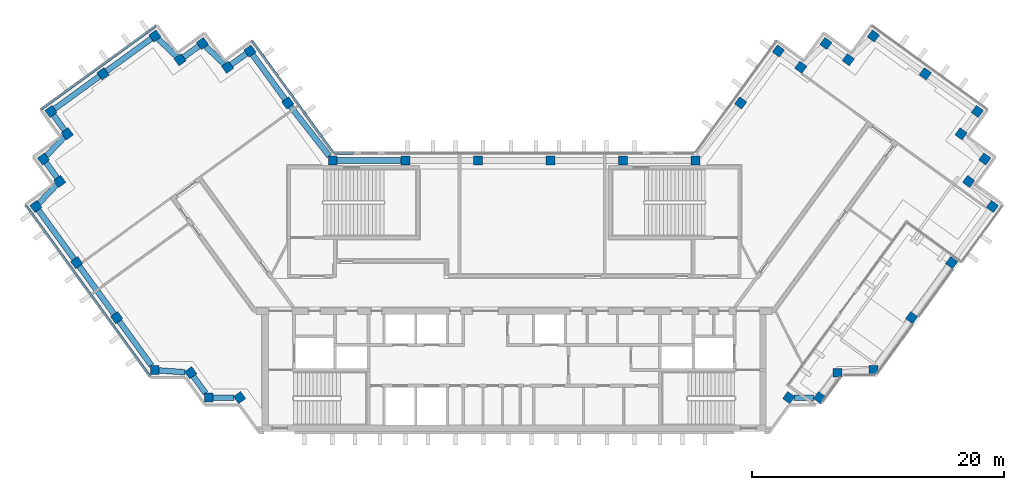
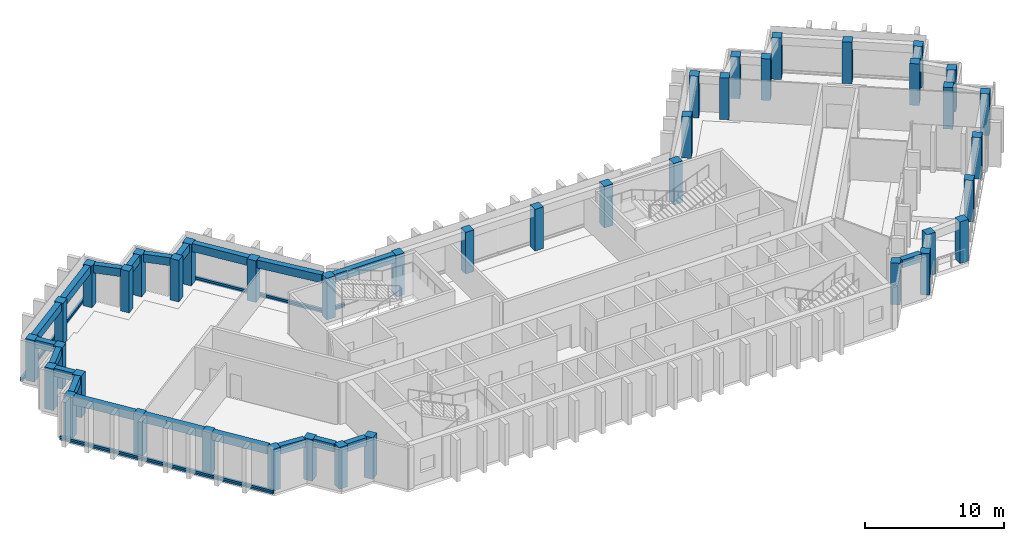
"""IFC4 building model written with IfcOpenShell, lengths in metres."""

from ifc_helpers import new_model, si_unit, direction, frame, origin, origin_2d, place, context, subcontext, project, spatial, rectangle, extrude, material, material_profile, profile_set, type_object, element, aggregate, save


model = new_model("IFC4")

# Units and contexts
model_context = context("Model", 3, precision=1e-05, world=origin(), true_north=direction((0.0, 1.0)))
body_context = subcontext(model_context, "Body", "Model", "MODEL_VIEW")
ifc_project = project(units=[si_unit("LENGTHUNIT", "METRE"), si_unit("AREAUNIT", "SQUARE_METRE"), si_unit("VOLUMEUNIT", "CUBIC_METRE"), si_unit("PLANEANGLEUNIT", "RADIAN"), si_unit("MASSUNIT", "GRAM", prefix="KILO")], contexts=[model_context])

# Site, building, storey
site_placement = place(None, origin())
site = spatial("IfcSite", under=ifc_project, at=site_placement, CompositionType="ELEMENT")
building_placement = place(site_placement, origin())
building = spatial("IfcBuilding", under=site, at=building_placement, Name="Quipu Civic Tower", CompositionType="ELEMENT")
storey_1_placement = place(building_placement, frame((0.0, 0.0, 319.0)))
storey_1 = spatial("IfcBuildingStorey", under=building, at=storey_1_placement, Name="L74", CompositionType="ELEMENT", Elevation=319.0)

# Columns
ifc_material_1 = material(Name="Concrete C40/50", Category="concrete")
ifc_material_profile_1 = material_profile(ifc_material_1, rectangle(XDim=0.699951171875, YDim=0.699951171875, at=origin_2d()), Name="RC700x700")
ifc_profile_set_1 = profile_set([ifc_material_profile_1], Name="Concrete C40/50")
column_type = type_object("IfcColumnType", Name="Perimeter column RC 700x700 C40/50", PredefinedType="COLUMN", material=ifc_profile_set_1)
for number, where, z_axis, x_axis, name in (
    (1, (-17.9736328125, 15.074951171875, 0.0), (0.0, 0.0, 1.0), (-0.587785252292, 0.809016994375, 0.0), "Column L74 W-IN-01"),
    (2, (-20.969970703125, 19.195068359375, 0.0), (0.0, 0.0, 1.0), (-0.587785252292, 0.809016994375, 0.0), "Column L74 T-Wi.0-W22"),
    (3, (-22.749267578125, 17.904296875, 0.0), (0.0, 0.0, 1.0), (-0.587785252292, 0.809016994375, 0.0), "Column L74 T-Wi.1-W22"),
    (4, (-24.739990234375, 19.794921875, 0.0), (0.0, 0.0, 1.0), (-0.587785252292, 0.809016994375, 0.0), "Column L74 T-Wi.2-W22"),
    (5, (-26.51904296875, 18.50048828125, 0.0), (0.0, 0.0, 1.0), (-0.587785252292, 0.809016994375, 0.0), "Column L74 T-Wi.3-W22"),
    (6, (-28.510009765625, 20.389892578125, 0.0), (0.0, 0.0, 1.0), (-0.809016994375, -0.587785252292, 0.0), "Column L74 T-Wi.4-W22"),
    (7, (-32.636962890625, 17.39306640625, 0.0), (0.0, 0.0, 1.0), (-0.809016994375, -0.587785252292, 0.0), "Column L74 TIP-W-01-W22"),
    (8, (-36.764892578125, 14.39501953125, 0.0), (0.0, 0.0, 1.0), (0.587785252292, -0.809016994375, 0.0), "Column L74 T-Wo.0-W22"),
    (9, (-35.470703125, 12.616455078125, 0.0), (0.0, 0.0, 1.0), (-0.809016994375, -0.587785252292, 0.0), "Column L74 T-Wo.1-W22"),
    (10, (-37.360107421875, 10.625, 0.0), (0.0, 0.0, 1.0), (0.587785252292, -0.809016994375, 0.0), "Column L74 T-Wo.2-W22"),
    (11, (-36.068115234375, 8.843994140625, 0.0), (0.0, 0.0, 1.0), (0.587785252292, -0.809016994375, 0.0), "Column L74 T-Wo.3-W22"),
    (12, (-37.9599609375, 6.85498046875, 0.0), (0.0, 0.0, 1.0), (0.587785252292, -0.809016994375, 0.0), "Column L74 T-Wo.4-W22"),
    (13, (-34.722412109375, 2.39990234375, 0.0), (0.0, 0.0, 1.0), (0.587785252292, -0.809016994375, 0.0), "Column L74 W-OUT-02"),
    (14, (-31.54833984375, -1.96875, 0.0), (0.0, 0.0, 1.0), (0.587785252292, -0.809016994375, 0.0), "Column L74 W-OUT-01"),
    (15, (-28.52490234375, -6.1298828125, 0.0), (0.0, 0.0, 1.0), (1.0, 0.0, 0.0), "Column L74 J-Wo.0"),
    (16, (-25.67431640625, -6.3369140625, 0.0), (0.0, 0.0, 1.0), (0.587785252292, -0.809016994375, 0.0), "Column L74 J-Wo.1"),
    (17, (-24.235107421875, -8.31494140625, 0.0), (0.0, 0.0, 1.0), (1.0, 0.0, 0.0), "Column L74 J-Wo.2"),
    (18, (-21.791748046875, -8.31494140625, 0.0), (0.0, 0.0, 1.0), (0.587785252292, -0.809016994375, 0.0), "Column L74 J-Wo.3"),
    (19, (21.791748046875, -8.31494140625, 0.0), (0.0, 0.0, 1.0), (0.587785252292, 0.809016994375, 0.0), "Column L74 J-Eo.1"),
    (20, (24.235107421875, -8.31494140625, 0.0), (0.0, 0.0, 1.0), (0.587785252292, 0.809016994375, 0.0), "Column L74 J-Eo.2"),
    (21, (25.67431640625, -6.3369140625, 0.0), (0.0, 0.0, 1.0), (1.0, 0.0, 0.0), "Column L74 J-Eo.3"),
    (22, (28.52490234375, -6.1298828125, 0.0), (0.0, 0.0, 1.0), (1.0, 0.0, 0.0), "Column L74 J-Eo.4"),
    (23, (31.54833984375, -1.96875, 0.0), (0.0, 0.0, 1.0), (0.587785252292, 0.809016994375, 0.0), "Column L74 E-OUT-01"),
    (24, (34.722412109375, 2.39990234375, 0.0), (0.0, 0.0, 1.0), (0.587785252292, 0.809016994375, 0.0), "Column L74 E-OUT-02"),
    (25, (37.9599609375, 6.85498046875, 0.0), (0.0, 0.0, 1.0), (0.587785252292, 0.809016994375, 0.0), "Column L74 T-Eo.0-E22"),
    (26, (36.068115234375, 8.843994140625, 0.0), (0.0, 0.0, 1.0), (0.587785252292, 0.809016994375, 0.0), "Column L74 T-Eo.1-E22"),
    (27, (37.360107421875, 10.625, 0.0), (0.0, 0.0, 1.0), (0.587785252292, 0.809016994375, 0.0), "Column L74 T-Eo.2-E22"),
    (28, (35.470703125, 12.616455078125, 0.0), (0.0, 0.0, 1.0), (-0.809016994375, 0.587785252292, 0.0), "Column L74 T-Eo.3-E22"),
    (29, (36.764892578125, 14.39501953125, 0.0), (0.0, 0.0, 1.0), (-0.809016994375, 0.587785252292, 0.0), "Column L74 T-Eo.4-E22"),
    (30, (32.636962890625, 17.39306640625, 0.0), (0.0, 0.0, 1.0), (-0.809016994375, 0.587785252292, 0.0), "Column L74 TIP-E-01-E22"),
    (31, (28.510009765625, 20.389892578125, 0.0), (0.0, 0.0, 1.0), (-0.587785252292, -0.809016994375, 0.0), "Column L74 T-Ei.0-E22"),
    (32, (26.51904296875, 18.50048828125, 0.0), (0.0, 0.0, 1.0), (-0.809016994375, 0.587785252292, 0.0), "Column L74 T-Ei.1-E22"),
    (33, (24.739990234375, 19.794921875, 0.0), (0.0, 0.0, 1.0), (-0.587785252292, -0.809016994375, 0.0), "Column L74 T-Ei.2-E22"),
    (34, (22.749267578125, 17.904296875, 0.0), (0.0, 0.0, 1.0), (-0.587785252292, -0.809016994375, 0.0), "Column L74 T-Ei.3-E22"),
    (35, (20.969970703125, 19.195068359375, 0.0), (0.0, 0.0, 1.0), (-0.587785252292, -0.809016994375, 0.0), "Column L74 T-Ei.4-E22"),
    (36, (17.9736328125, 15.074951171875, 0.0), (0.0, 0.0, 1.0), (-0.587785252292, -0.809016994375, 0.0), "Column L74 E-IN-01"),
    (37, (14.395263671875, 10.5, 0.0), (0.0, 0.0, 1.0), (-1.0, 0.0, 0.0), "Column L74 J-Ei.0"),
    (38, (8.63720703125, 10.5, 0.0), (0.0, 0.0, 1.0), (-1.0, 0.0, 0.0), "Column L74 FRONT-01"),
    (39, (2.87890625, 10.5, 0.0), (0.0, 0.0, 1.0), (-1.0, 0.0, 0.0), "Column L74 FRONT-02"),
    (40, (-2.87890625, 10.5, 0.0), (0.0, 0.0, 1.0), (-1.0, 0.0, 0.0), "Column L74 FRONT-03"),
    (41, (-8.63720703125, 10.5, 0.0), (0.0, 0.0, 1.0), (-1.0, 0.0, 0.0), "Column L74 FRONT-04"),
    (42, (-14.395263671875, 10.5, 0.0), (0.0, 0.0, 1.0), (-1.0, 0.0, 0.0), "Column L74 J-Wi.0"),
):
    element("IfcColumn", number, at=place(storey_1_placement, frame(where, z_axis=z_axis, x_axis=x_axis)), inside=storey_1, type_object=column_type, Name=name, PredefinedType="COLUMN", context=body_context, shape_type="SweptSolid", body=[
        extrude(rectangle(XDim=0.699951171875, YDim=0.699951171875, at=origin_2d()), origin(), (0.0, 0.0, 1.0), 3.64990234375),
    ])

# Beams
ifc_material_2 = material(Name="Concrete C50/60", Category="concrete")
ifc_material_profile_2 = material_profile(ifc_material_2, rectangle(XDim=0.449951171875, YDim=0.699951171875, at=origin_2d()), Name="RC450x700")
ifc_profile_set_2 = profile_set([ifc_material_profile_2], Name="Concrete C50/60")
beam_type = type_object("IfcBeamType", Name="Spandrel beam RC 450x700 C50/60", PredefinedType="SPANDREL", material=ifc_profile_set_2)
beam_1_placement = place(storey_1_placement, frame((-18.179443359375, 15.358154296875, 3.300048828125), z_axis=(-0.588201428764, 0.808714460857, 0.0), x_axis=(-0.808714460857, -0.588201428764, 0.0)))
element("IfcBeam", 43, at=beam_1_placement, inside=storey_1, type_object=beam_type, Name="Spandrel beam L74 W-IN-01 to T-Wi.0-W22", PredefinedType="SPANDREL", context=body_context, shape_type="SweptSolid", body=[
    extrude(rectangle(XDim=0.449951171875, YDim=0.699951171875, at=origin_2d()), origin(), (0.0, 0.0, 1.0), 4.394287109375),
])
beam_2_placement = place(storey_1_placement, frame((-21.25341796875, 18.989501953125, 3.300048828125), z_axis=(-0.809461336076, -0.587173181776, 0.0), x_axis=(0.587173181776, -0.809461336076, 0.0)))
element("IfcBeam", 44, at=beam_2_placement, inside=storey_1, type_object=beam_type, Name="Spandrel beam L74 T-Wi.0-W22 to T-Wi.1-W22", PredefinedType="SPANDREL", context=body_context, shape_type="SweptSolid", body=[
    extrude(rectangle(XDim=0.449951171875, YDim=0.699951171875, at=origin_2d()), origin(), (0.0, 0.0, 1.0), 1.498046875),
])
beam_3_placement = place(storey_1_placement, frame((-23.00732421875, 18.1494140625, 3.300048828125), z_axis=(-0.72511931772, 0.6886232461, 0.0), x_axis=(-0.6886232461, -0.72511931772, 0.0)))
element("IfcBeam", 45, at=beam_3_placement, inside=storey_1, type_object=beam_type, Name="Spandrel beam L74 T-Wi.1-W22 to T-Wi.2-W22", PredefinedType="SPANDREL", context=body_context, shape_type="SweptSolid", body=[
    extrude(rectangle(XDim=0.449951171875, YDim=0.699951171875, at=origin_2d()), origin(), (0.0, 0.0, 1.0), 2.03369140625),
])
beam_4_placement = place(storey_1_placement, frame((-25.02294921875, 19.589111328125, 3.300048828125), z_axis=(-0.808644589435, -0.588297482553, 0.0), x_axis=(0.588297482553, -0.808644589435, 0.0)))
element("IfcBeam", 46, at=beam_4_placement, inside=storey_1, type_object=beam_type, Name="Spandrel beam L74 T-Wi.2-W22 to T-Wi.3-W22", PredefinedType="SPANDREL", context=body_context, shape_type="SweptSolid", body=[
    extrude(rectangle(XDim=0.449951171875, YDim=0.699951171875, at=origin_2d()), origin(), (0.0, 0.0, 1.0), 1.500244140625),
])
beam_5_placement = place(storey_1_placement, frame((-26.777099609375, 18.74560546875, 3.300048828125), z_axis=(-0.725359138958, 0.688370626574, 0.0), x_axis=(-0.688370626574, -0.725359138958, 0.0)))
element("IfcBeam", 47, at=beam_5_placement, inside=storey_1, type_object=beam_type, Name="Spandrel beam L74 T-Wi.3-W22 to T-Wi.4-W22", PredefinedType="SPANDREL", context=body_context, shape_type="SweptSolid", body=[
    extrude(rectangle(XDim=0.449951171875, YDim=0.699951171875, at=origin_2d()), origin(), (0.0, 0.0, 1.0), 2.032958984375),
])
beam_6_placement = place(storey_1_placement, frame((-28.793212890625, 20.184326171875, 3.300048828125), z_axis=(-0.809146152767, -0.587607439931, 0.0), x_axis=(0.587607439931, -0.809146152767, 0.0)))
element("IfcBeam", 48, at=beam_6_placement, inside=storey_1, type_object=beam_type, Name="Spandrel beam L74 T-Wi.4-W22 to TIP-W-01-W22", PredefinedType="SPANDREL", context=body_context, shape_type="SweptSolid", body=[
    extrude(rectangle(XDim=0.449951171875, YDim=0.699951171875, at=origin_2d()), origin(), (0.0, 0.0, 1.0), 4.400390625),
])
beam_7_placement = place(storey_1_placement, frame((-32.920166015625, 17.187255859375, 3.300048828125), z_axis=(-0.809117270763, -0.587647208921, 0.0), x_axis=(0.587647208921, -0.809117270763, 0.0)))
element("IfcBeam", 49, at=beam_7_placement, inside=storey_1, type_object=beam_type, Name="Spandrel beam L74 TIP-W-01-W22 to T-Wo.0-W22", PredefinedType="SPANDREL", context=body_context, shape_type="SweptSolid", body=[
    extrude(rectangle(XDim=0.449951171875, YDim=0.699951171875, at=origin_2d()), origin(), (0.0, 0.0, 1.0), 4.40185546875),
])
beam_8_placement = place(storey_1_placement, frame((-36.55908203125, 14.112060546875, 3.300048828125), z_axis=(0.588345920092, -0.808609348394, 0.0), x_axis=(0.808609348394, 0.588345920092, 0.0)))
element("IfcBeam", 50, at=beam_8_placement, inside=storey_1, type_object=beam_type, Name="Spandrel beam L74 T-Wo.0-W22 to T-Wo.1-W22", PredefinedType="SPANDREL", context=body_context, shape_type="SweptSolid", body=[
    extrude(rectangle(XDim=0.449951171875, YDim=0.699951171875, at=origin_2d()), origin(), (0.0, 0.0, 1.0), 1.499755859375),
])
beam_9_placement = place(storey_1_placement, frame((-35.7158203125, 12.358154296875, 3.300048828125), z_axis=(-0.688247466856, -0.725475998477, 0.0), x_axis=(0.725475998477, -0.688247466856, 0.0)))
element("IfcBeam", 51, at=beam_9_placement, inside=storey_1, type_object=beam_type, Name="Spandrel beam L74 T-Wo.1-W22 to T-Wo.2-W22", PredefinedType="SPANDREL", context=body_context, shape_type="SweptSolid", body=[
    extrude(rectangle(XDim=0.449951171875, YDim=0.699951171875, at=origin_2d()), origin(), (0.0, 0.0, 1.0), 2.032958984375),
])
beam_10_placement = place(storey_1_placement, frame((-37.154541015625, 10.341796875, 3.300048828125), z_axis=(0.587164895097, -0.809467347066, 0.0), x_axis=(0.809467347066, 0.587164895097, 0.0)))
element("IfcBeam", 52, at=beam_10_placement, inside=storey_1, type_object=beam_type, Name="Spandrel beam L74 T-Wo.2-W22 to T-Wo.3-W22", PredefinedType="SPANDREL", context=body_context, shape_type="SweptSolid", body=[
    extrude(rectangle(XDim=0.449951171875, YDim=0.699951171875, at=origin_2d()), origin(), (0.0, 0.0, 1.0), 1.500244140625),
])
beam_11_placement = place(storey_1_placement, frame((-36.3134765625, 8.586181640625, 3.300048828125), z_axis=(-0.689175330605, -0.724594620244, 0.0), x_axis=(0.724594620244, -0.689175330605, 0.0)))
element("IfcBeam", 53, at=beam_11_placement, inside=storey_1, type_object=beam_type, Name="Spandrel beam L74 T-Wo.3-W22 to T-Wo.4-W22", PredefinedType="SPANDREL", context=body_context, shape_type="SweptSolid", body=[
    extrude(rectangle(XDim=0.449951171875, YDim=0.699951171875, at=origin_2d()), origin(), (0.0, 0.0, 1.0), 2.033447265625),
])
beam_12_placement = place(storey_1_placement, frame((-37.754150390625, 6.57177734375, 3.300048828125), z_axis=(0.587905928359, -0.808929304328, 0.0), x_axis=(0.808929304328, 0.587905928359, 0.0)))
element("IfcBeam", 54, at=beam_12_placement, inside=storey_1, type_object=beam_type, Name="Spandrel beam L74 T-Wo.4-W22 to W-OUT-02", PredefinedType="SPANDREL", context=body_context, shape_type="SweptSolid", body=[
    extrude(rectangle(XDim=0.449951171875, YDim=0.699951171875, at=origin_2d()), origin(), (0.0, 0.0, 1.0), 4.80712890625),
])
beam_13_placement = place(storey_1_placement, frame((-34.5166015625, 2.116943359375, 3.300048828125), z_axis=(0.587788656305, -0.809014521204, 0.0), x_axis=(0.809014521204, 0.587788656305, 0.0)))
element("IfcBeam", 55, at=beam_13_placement, inside=storey_1, type_object=beam_type, Name="Spandrel beam L74 W-OUT-02 to W-OUT-01", PredefinedType="SPANDREL", context=body_context, shape_type="SweptSolid", body=[
    extrude(rectangle(XDim=0.449951171875, YDim=0.699951171875, at=origin_2d()), origin(), (0.0, 0.0, 1.0), 4.7001953125),
])
beam_14_placement = place(storey_1_placement, frame((-31.342529296875, -2.251953125, 3.300048828125), z_axis=(0.58777550284, -0.809024077677, 0.0), x_axis=(0.809024077677, 0.58777550284, 0.0)))
element("IfcBeam", 56, at=beam_14_placement, inside=storey_1, type_object=beam_type, Name="Spandrel beam L74 W-OUT-01 to J-Wo.0", PredefinedType="SPANDREL", context=body_context, shape_type="SweptSolid", body=[
    extrude(rectangle(XDim=0.449951171875, YDim=0.699951171875, at=origin_2d()), origin(), (0.0, 0.0, 1.0), 4.36083984375),
])
beam_15_placement = place(storey_1_placement, frame((-28.175048828125, -6.155517578125, 3.300048828125), z_axis=(0.99737333325, -0.072432272649, 0.0), x_axis=(0.072432272649, 0.99737333325, 0.0)))
element("IfcBeam", 57, at=beam_15_placement, inside=storey_1, type_object=beam_type, Name="Spandrel beam L74 J-Wo.0 to J-Wo.1", PredefinedType="SPANDREL", context=body_context, shape_type="SweptSolid", body=[
    extrude(rectangle(XDim=0.449951171875, YDim=0.699951171875, at=origin_2d()), origin(), (0.0, 0.0, 1.0), 2.04931640625),
])
beam_16_placement = place(storey_1_placement, frame((-25.468505859375, -6.6201171875, 3.300048828125), z_axis=(0.588407300614, -0.80856468423, 0.0), x_axis=(0.80856468423, 0.588407300614, 0.0)))
element("IfcBeam", 58, at=beam_16_placement, inside=storey_1, type_object=beam_type, Name="Spandrel beam L74 J-Wo.1 to J-Wo.2", PredefinedType="SPANDREL", context=body_context, shape_type="SweptSolid", body=[
    extrude(rectangle(XDim=0.449951171875, YDim=0.699951171875, at=origin_2d()), origin(), (0.0, 0.0, 1.0), 1.663330078125),
])
beam_17_placement = place(storey_1_placement, frame((-23.885009765625, -8.31494140625, 3.300048828125), z_axis=(1.0, 0.0, 0.0), x_axis=(0.0, 1.0, 0.0)))
element("IfcBeam", 59, at=beam_17_placement, inside=storey_1, type_object=beam_type, Name="Spandrel beam L74 J-Wo.2 to J-Wo.3", PredefinedType="SPANDREL", context=body_context, shape_type="SweptSolid", body=[
    extrude(rectangle(XDim=0.449951171875, YDim=0.699951171875, at=origin_2d()), origin(), (0.0, 0.0, 1.0), 1.66064453125),
])
beam_18_placement = place(storey_1_placement, frame((22.224365234375, -8.31494140625, 3.300048828125), z_axis=(1.0, 0.0, 0.0), x_axis=(0.0, 1.0, 0.0)))
element("IfcBeam", 60, at=beam_18_placement, inside=storey_1, type_object=beam_type, Name="Spandrel beam L74 J-Eo.1 to J-Eo.2", PredefinedType="SPANDREL", context=body_context, shape_type="SweptSolid", body=[
    extrude(rectangle(XDim=0.449951171875, YDim=0.699951171875, at=origin_2d()), origin(), (0.0, 0.0, 1.0), 1.578125),
])
beam_19_placement = place(storey_1_placement, frame((-8.987060546875, 10.5, 3.300048828125), z_axis=(-1.0, 0.0, 0.0), x_axis=(0.0, -1.0, 0.0)))
element("IfcBeam", 61, at=beam_19_placement, inside=storey_1, type_object=beam_type, Name="Spandrel beam L74 FRONT-04 to J-Wi.0", PredefinedType="SPANDREL", context=body_context, shape_type="SweptSolid", body=[
    extrude(rectangle(XDim=0.449951171875, YDim=0.699951171875, at=origin_2d()), origin(), (0.0, 0.0, 1.0), 5.05810546875),
])
beam_20_placement = place(storey_1_placement, frame((-14.6689453125, 10.85009765625, 3.300048828125), z_axis=(-0.616106034519, 0.787663223865, 0.0), x_axis=(-0.787663223865, -0.616106034519, 0.0)))
element("IfcBeam", 62, at=beam_20_placement, inside=storey_1, type_object=beam_type, Name="Spandrel beam L74 J-Wi.0 to W-IN-01", PredefinedType="SPANDREL", context=body_context, shape_type="SweptSolid", body=[
    extrude(rectangle(XDim=0.449951171875, YDim=0.699951171875, at=origin_2d()), origin(), (0.0, 0.0, 1.0), 5.013427734375),
])

# Storey
storey_2_placement = place(building_placement, frame((0.0, 0.0, 311.0)))
storey_2 = spatial("IfcBuildingStorey", under=building, at=storey_2_placement, Name="L72", CompositionType="ELEMENT", Elevation=311.0)

# Curtain wall, member
ifc_material_3 = material(Name="Insulated glass unit", Category="glass")
curtain_wall_type = type_object("IfcCurtainWallType", Name="Office curtain wall CW1", PredefinedType="NOTDEFINED", material=ifc_material_3)
curtain_wall_1_placement = place(storey_2_placement, origin())
curtain_wall_1 = element("IfcCurtainWall", 63, at=curtain_wall_1_placement, inside=storey_2, type_object=curtain_wall_type, Name="Office curtain wall CW1 L71 run 16", PredefinedType="NOTDEFINED")
ifc_material_4 = material(Name="Anodised aluminium", Category="aluminium")
ifc_material_profile_3 = material_profile(ifc_material_4, rectangle(XDim=0.199951171875, YDim=0.159912109375, at=origin_2d()), Name="RECT 200x160")
ifc_profile_set_3 = profile_set([ifc_material_profile_3], Name="Anodised aluminium")
member_type = type_object("IfcMemberType", Name="Transom CW1", PredefinedType="USERDEFINED", material=ifc_profile_set_3)
member_1_placement = place(storey_1_placement, frame((-12.735107421875, 11.10009765625, 0.0), z_axis=(-1.0, 0.0, 0.0), x_axis=(0.0, -1.0, 0.0)))
member_1 = element("IfcMember", 64, at=member_1_placement, inside=storey_1, type_object=member_type, Name="CW1 transom 1.4", ObjectType="TRANSOM", PredefinedType="USERDEFINED", context=body_context, shape_type="SweptSolid", body=[
    extrude(rectangle(XDim=0.199951171875, YDim=0.159912109375, at=origin_2d()), origin(), (0.0, 0.0, 1.0), 1.529052734375),
])
aggregate(curtain_wall_1, [member_1])

curtain_wall_2_placement = place(storey_2_placement, origin())
curtain_wall_2 = element("IfcCurtainWall", 65, at=curtain_wall_2_placement, inside=storey_2, type_object=curtain_wall_type, Name="Office curtain wall CW1 L71 run 17", PredefinedType="NOTDEFINED")
member_2_placement = place(storey_1_placement, frame((-14.39111328125, 11.164794921875, 0.0), z_axis=(-0.587796859727, 0.809008560953, 0.0), x_axis=(-0.809008560953, -0.587796859727, 0.0)))
member_2 = element("IfcMember", 66, at=member_2_placement, inside=storey_1, type_object=member_type, Name="CW1 transom 1.4", ObjectType="TRANSOM", PredefinedType="USERDEFINED", context=body_context, shape_type="SweptSolid", body=[
    extrude(rectangle(XDim=0.199951171875, YDim=0.159912109375, at=origin_2d()), origin(), (0.0, 0.0, 1.0), 10.88427734375),
])
aggregate(curtain_wall_2, [member_2])

curtain_wall_3_placement = place(storey_2_placement, origin())
curtain_wall_3 = element("IfcCurtainWall", 67, at=curtain_wall_3_placement, inside=storey_2, type_object=curtain_wall_type, Name="Office curtain wall CW1 L71 run 22", PredefinedType="NOTDEFINED")
member_3_placement = place(storey_1_placement, frame((-28.443359375, 21.1826171875, 0.0), z_axis=(-0.809022463805, -0.587777724194, 0.0), x_axis=(0.587777724194, -0.809022463805, 0.0)))
member_3 = element("IfcMember", 68, at=member_3_placement, inside=storey_1, type_object=member_type, Name="CW1 transom 1.4", ObjectType="TRANSOM", PredefinedType="USERDEFINED", context=body_context, shape_type="SweptSolid", body=[
    extrude(rectangle(XDim=0.199951171875, YDim=0.159912109375, at=origin_2d()), origin(), (0.0, 0.0, 1.0), 11.240234375),
])
aggregate(curtain_wall_3, [member_3])

# Curtain wall, members
curtain_wall_4_placement = place(storey_2_placement, origin())
curtain_wall_4 = element("IfcCurtainWall", 69, at=curtain_wall_4_placement, inside=storey_2, type_object=curtain_wall_type, Name="Office curtain wall CW1 L71 run 27", PredefinedType="NOTDEFINED")
member_4_placement = place(storey_1_placement, frame((-38.7490234375, 6.92138671875, 0.0), z_axis=(0.587779098815, -0.809021465102, 0.0), x_axis=(0.809021465102, 0.587779098815, 0.0)))
member_4 = element("IfcMember", 70, at=member_4_placement, inside=storey_1, type_object=member_type, Name="CW1 transom 1.4", ObjectType="TRANSOM", PredefinedType="USERDEFINED", context=body_context, shape_type="SweptSolid", body=[
    extrude(rectangle(XDim=0.199951171875, YDim=0.159912109375, at=origin_2d()), origin(), (0.0, 0.0, 1.0), 8.35791015625),
])
member_5_placement = place(storey_1_placement, frame((-33.78955078125, 0.094970703125, 0.0), z_axis=(0.587812107925, -0.808997481935, 0.0), x_axis=(0.808997481935, 0.587812107925, 0.0)))
member_5 = element("IfcMember", 71, at=member_5_placement, inside=storey_1, type_object=member_type, Name="CW1 transom 2.4", ObjectType="TRANSOM", PredefinedType="USERDEFINED", context=body_context, shape_type="SweptSolid", body=[
    extrude(rectangle(XDim=0.199951171875, YDim=0.159912109375, at=origin_2d()), origin(), (0.0, 0.0, 1.0), 8.35791015625),
])
aggregate(curtain_wall_4, [member_4, member_5])

# Storey
storey_3_placement = place(building_placement, frame((0.0, 0.0, 323.0)))
storey_3 = spatial("IfcBuildingStorey", under=building, at=storey_3_placement, Name="L75", CompositionType="ELEMENT", Elevation=323.0)

# Curtain wall, member
curtain_wall_5_placement = place(storey_3_placement, origin())
curtain_wall_5 = element("IfcCurtainWall", 72, at=curtain_wall_5_placement, inside=storey_3, type_object=curtain_wall_type, Name="Office curtain wall CW1 L74 run 8", PredefinedType="NOTDEFINED")
member_6_placement = place(storey_1_placement, frame((-14.39111328125, 11.164794921875, 0.159912109375), z_axis=(-0.587796859727, 0.809008560953, 0.0), x_axis=(-0.809008560953, -0.587796859727, 0.0)))
member_6 = element("IfcMember", 73, at=member_6_placement, inside=storey_1, type_object=member_type, Name="CW1 transom 1.1", ObjectType="TRANSOM", PredefinedType="USERDEFINED", context=body_context, shape_type="SweptSolid", body=[
    extrude(rectangle(XDim=0.199951171875, YDim=0.159912109375, at=origin_2d()), origin(), (0.0, 0.0, 1.0), 10.88427734375),
])
aggregate(curtain_wall_5, [member_6])

curtain_wall_6_placement = place(storey_3_placement, origin())
curtain_wall_6 = element("IfcCurtainWall", 74, at=curtain_wall_6_placement, inside=storey_3, type_object=curtain_wall_type, Name="Office curtain wall CW1 L74 run 13", PredefinedType="NOTDEFINED")
member_7_placement = place(storey_1_placement, frame((-28.443359375, 21.1826171875, 0.159912109375), z_axis=(-0.809022463805, -0.587777724194, 0.0), x_axis=(0.587777724194, -0.809022463805, 0.0)))
member_7 = element("IfcMember", 75, at=member_7_placement, inside=storey_1, type_object=member_type, Name="CW1 transom 1.1", ObjectType="TRANSOM", PredefinedType="USERDEFINED", context=body_context, shape_type="SweptSolid", body=[
    extrude(rectangle(XDim=0.199951171875, YDim=0.159912109375, at=origin_2d()), origin(), (0.0, 0.0, 1.0), 11.240234375),
])
aggregate(curtain_wall_6, [member_7])

# Curtain wall, members
curtain_wall_7_placement = place(storey_3_placement, origin())
curtain_wall_7 = element("IfcCurtainWall", 76, at=curtain_wall_7_placement, inside=storey_3, type_object=curtain_wall_type, Name="Office curtain wall CW1 L74 run 18", PredefinedType="NOTDEFINED")
member_8_placement = place(storey_1_placement, frame((-38.7490234375, 6.92138671875, 0.159912109375), z_axis=(0.587779098815, -0.809021465102, 0.0), x_axis=(0.809021465102, 0.587779098815, 0.0)))
member_8 = element("IfcMember", 77, at=member_8_placement, inside=storey_1, type_object=member_type, Name="CW1 transom 1.1", ObjectType="TRANSOM", PredefinedType="USERDEFINED", context=body_context, shape_type="SweptSolid", body=[
    extrude(rectangle(XDim=0.199951171875, YDim=0.159912109375, at=origin_2d()), origin(), (0.0, 0.0, 1.0), 8.35791015625),
])
member_9_placement = place(storey_1_placement, frame((-33.78955078125, 0.094970703125, 0.159912109375), z_axis=(0.587812107925, -0.808997481935, 0.0), x_axis=(0.808997481935, 0.587812107925, 0.0)))
member_9 = element("IfcMember", 78, at=member_9_placement, inside=storey_1, type_object=member_type, Name="CW1 transom 2.1", ObjectType="TRANSOM", PredefinedType="USERDEFINED", context=body_context, shape_type="SweptSolid", body=[
    extrude(rectangle(XDim=0.199951171875, YDim=0.159912109375, at=origin_2d()), origin(), (0.0, 0.0, 1.0), 8.35791015625),
])
aggregate(curtain_wall_7, [member_8, member_9])

# Curtain wall, member
curtain_wall_8_placement = place(storey_3_placement, origin())
curtain_wall_8 = element("IfcCurtainWall", 79, at=curtain_wall_8_placement, inside=storey_3, type_object=curtain_wall_type, Name="Office curtain wall CW1 L74 run 38", PredefinedType="NOTDEFINED")
member_10_placement = place(storey_1_placement, frame((-12.735107421875, 11.10009765625, 0.159912109375), z_axis=(-1.0, 0.0, 0.0), x_axis=(0.0, -1.0, 0.0)))
member_10 = element("IfcMember", 80, at=member_10_placement, inside=storey_1, type_object=member_type, Name="CW1 transom 1.1", ObjectType="TRANSOM", PredefinedType="USERDEFINED", context=body_context, shape_type="SweptSolid", body=[
    extrude(rectangle(XDim=0.199951171875, YDim=0.159912109375, at=origin_2d()), origin(), (0.0, 0.0, 1.0), 1.529052734375),
])
aggregate(curtain_wall_8, [member_10])

save(model, "model.ifc")
